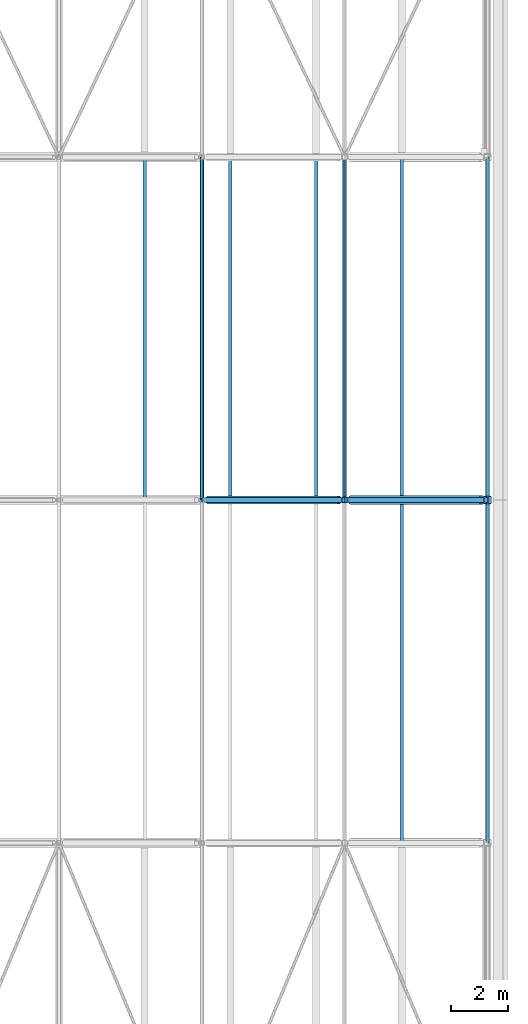
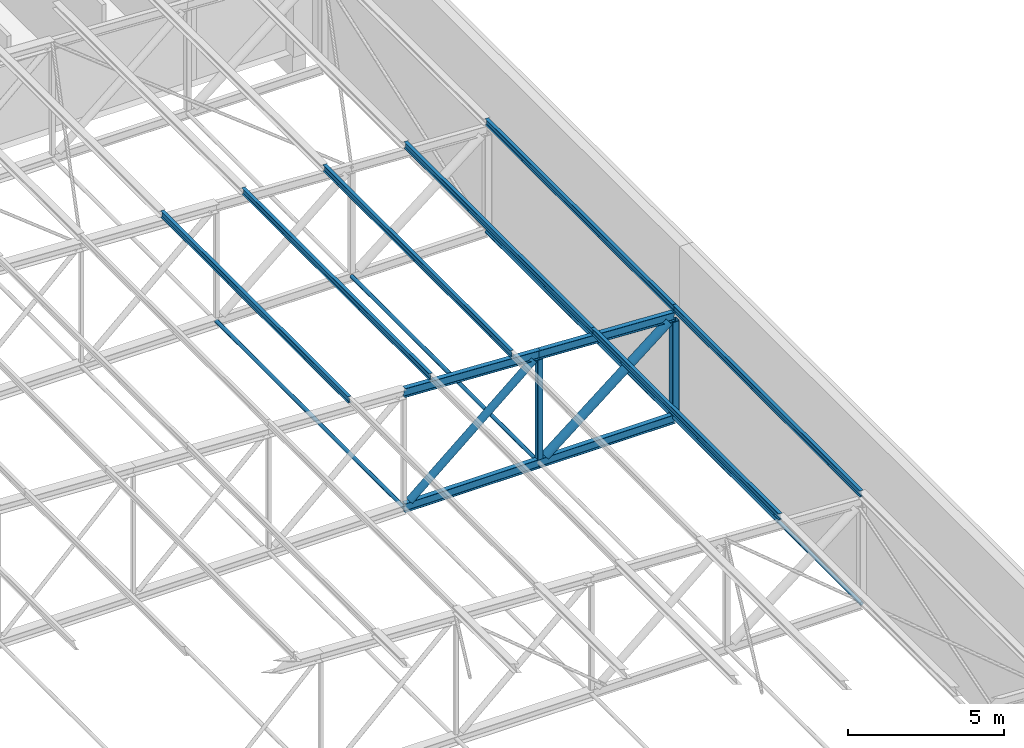
# One storey, part 124 of 156: 19 members.
"""IFC4 building model written with IfcOpenShell, lengths in metres."""

from ifc_helpers import new_model, si_unit, direction, frame, origin, origin_2d, place, context, subcontext, project, spatial, hollow_rectangle, hollow_circle, i_section, extrude, material, material_profile, profile_set, type_object, element, save


model = new_model("IFC4")

# Units and contexts
model_context = context("Model", 3, precision=1e-05, world=origin(), true_north=direction((0.0, 1.0)))
body_context = subcontext(model_context, "Body", "Model", "MODEL_VIEW")
ifc_project = project(units=[si_unit("LENGTHUNIT", "METRE"), si_unit("AREAUNIT", "SQUARE_METRE"), si_unit("VOLUMEUNIT", "CUBIC_METRE"), si_unit("PLANEANGLEUNIT", "RADIAN"), si_unit("MASSUNIT", "GRAM", prefix="KILO")], contexts=[model_context])

# Site, building, storey
site_placement = place(None, origin())
site = spatial("IfcSite", under=ifc_project, at=site_placement, CompositionType="ELEMENT")
building_placement = place(site_placement, origin())
building = spatial("IfcBuilding", under=site, at=building_placement, Name="Lilac Gate Convention Centre", CompositionType="ELEMENT")
storey_placement = place(building_placement, frame((0.0, 0.0, 17.0)))
storey = spatial("IfcBuildingStorey", under=building, at=storey_placement, Name="L03", CompositionType="ELEMENT", Elevation=17.0)

# Members
ifc_material = material(Name="Steel Q355B", Category="steel")
ifc_material_profile_1 = material_profile(ifc_material, hollow_circle(Radius=0.06982421875, WallThickness=0.0048828125, at=origin_2d()), Name="CHS139.7x5")
ifc_profile_set_1 = profile_set([ifc_material_profile_1], Name="Steel Q355B")
member_type_1 = type_object("IfcMemberType", Name="Bottom chord tie CHS139.7x5", PredefinedType="STRUT", material=ifc_profile_set_1)
for number, where, z_axis, x_axis, name in (
    (1, (90.0, 186.00341796875, 0.0), (0.0, 1.0, 0.0), (-1.0, 0.0, 0.0), "ST1 tie bay 14 node 13"),
    (2, (80.0, 198.00341796875, 0.0), (0.0, 1.0, 0.0), (-1.0, 0.0, 0.0), "ST1 tie bay 15 node 11"),
    (3, (85.0, 198.00341796875, 0.0), (0.0, 1.0, 0.0), (-1.0, 0.0, 0.0), "ST1 tie bay 15 node 12"),
    (4, (90.0, 198.00341796875, 0.0), (0.0, 1.0, 0.0), (-1.0, 0.0, 0.0), "ST1 tie bay 15 node 13"),
):
    element("IfcMember", number, at=place(storey_placement, frame(where, z_axis=z_axis, x_axis=x_axis)), inside=storey, type_object=member_type_1, Name=name, PredefinedType="STRUT", context=body_context, shape_type="SweptSolid", body=[
        extrude(hollow_circle(Radius=0.06982421875, WallThickness=0.0048828125, at=origin_2d()), origin(), (0.0, 0.0, 1.0), 11.9931640625),
    ])
ifc_material_profile_2 = material_profile(ifc_material, i_section(OverallWidth=0.125, OverallDepth=0.25, WebThickness=0.006103515625, FlangeThickness=0.009033203125, FilletRadius=0.008056640625, at=origin_2d()), Name="HN250x125x6x9")
ifc_profile_set_2 = profile_set([ifc_material_profile_2], Name="Steel Q355B")
member_type_2 = type_object("IfcMemberType", Name="Roof purlin HN250x125x6x9", PredefinedType="PURLIN", material=ifc_profile_set_2)
for number, where, z_axis, x_axis, name in (
    (5, (87.0, 186.0, 4.4501953125), (0.0, 1.0, 0.0), (-1.0, 0.0, 0.0), "PU2 purlin bay 14 line 20"),
    (6, (90.0, 186.0, 4.30029296875), (0.0, 1.0, 0.0), (-1.0, 0.0, 0.0), "PU2 purlin bay 14 line 21"),
    (7, (78.0, 198.0, 4.900146484375), (0.0, 1.0, 0.0), (-1.0, 0.0, 0.0), "PU2 purlin bay 15 line 17"),
    (8, (81.0, 198.0, 4.750244140625), (0.0, 1.0, 0.0), (-1.0, 0.0, 0.0), "PU2 purlin bay 15 line 18"),
    (9, (84.0, 198.0, 4.60009765625), (0.0, 1.0, 0.0), (-1.0, 0.0, 0.0), "PU2 purlin bay 15 line 19"),
    (10, (87.0, 198.0, 4.4501953125), (0.0, 1.0, 0.0), (-1.0, 0.0, 0.0), "PU2 purlin bay 15 line 20"),
    (11, (90.0, 198.0, 4.30029296875), (0.0, 1.0, 0.0), (-1.0, 0.0, 0.0), "PU2 purlin bay 15 line 21"),
):
    element("IfcMember", number, at=place(storey_placement, frame(where, z_axis=z_axis, x_axis=x_axis)), inside=storey, type_object=member_type_2, Name=name, PredefinedType="PURLIN", context=body_context, shape_type="SweptSolid", body=[
        extrude(i_section(OverallWidth=0.125, OverallDepth=0.25, WebThickness=0.006103515625, FlangeThickness=0.009033203125, FilletRadius=0.008056640625, at=origin_2d()), origin(), (0.0, 0.0, 1.0), 12.0),
    ])
ifc_material_profile_3 = material_profile(ifc_material, i_section(OverallWidth=0.175048828125, OverallDepth=0.35009765625, WebThickness=0.007080078125, FlangeThickness=0.010986328125, FilletRadius=0.012939453125, at=origin_2d()), Name="HN350x175x7x11")
ifc_profile_set_3 = profile_set([ifc_material_profile_3], Name="Steel Q355B")
member_type_3 = type_object("IfcMemberType", Name="Truss bottom chord HN350x175x7x11", PredefinedType="CHORD", material=ifc_profile_set_3)
for number, where, z_axis, x_axis, name in (
    (12, (80.0, 198.0, 0.0), (1.0, 0.0, 0.0), (0.0, 1.0, 0.0), "TB1 truss 15 bottom chord 11"),
    (13, (85.0, 198.0, 0.0), (1.0, 0.0, 0.0), (0.0, 1.0, 0.0), "TB1 truss 15 bottom chord 12"),
):
    element("IfcMember", number, at=place(storey_placement, frame(where, z_axis=z_axis, x_axis=x_axis)), inside=storey, type_object=member_type_3, Name=name, PredefinedType="CHORD", context=body_context, shape_type="SweptSolid", body=[
        extrude(i_section(OverallWidth=0.175048828125, OverallDepth=0.35009765625, WebThickness=0.007080078125, FlangeThickness=0.010986328125, FilletRadius=0.012939453125, at=origin_2d()), origin(), (0.0, 0.0, 1.0), 5.0),
    ])
ifc_material_profile_4 = material_profile(ifc_material, hollow_circle(Radius=0.136474609375, WallThickness=0.010009765625, at=origin_2d()), Name="CHS273x10")
ifc_profile_set_4 = profile_set([ifc_material_profile_4], Name="Steel Q355B")
member_type_4 = type_object("IfcMemberType", Name="Truss diagonal CHS273x10", PredefinedType="BRACE", material=ifc_profile_set_4)
member_1_placement = place(storey_placement, frame((84.806884765625, 198.0, 4.085693359375), z_axis=(-0.761961263863, 0.0, -0.647622600263), x_axis=(0.0, -1.0, 0.0)))
element("IfcMember", 14, at=member_1_placement, inside=storey, type_object=member_type_4, Name="TW2 truss 15 diagonal 11", PredefinedType="BRACE", context=body_context, shape_type="SweptSolid", body=[
    extrude(hollow_circle(Radius=0.136474609375, WallThickness=0.010009765625, at=origin_2d()), origin(), (0.0, 0.0, 1.0), 6.03857421875),
])
ifc_material_profile_5 = material_profile(ifc_material, hollow_circle(Radius=0.161865234375, WallThickness=0.011962890625, at=origin_2d()), Name="CHS323.9x12")
ifc_profile_set_5 = profile_set([ifc_material_profile_5], Name="Steel Q355B")
member_type_5 = type_object("IfcMemberType", Name="Truss diagonal CHS323.9x12", PredefinedType="BRACE", material=ifc_profile_set_5)
member_2_placement = place(storey_placement, frame((89.794677734375, 198.0, 3.835693359375), z_axis=(-0.780876938611, 0.0, -0.624684885959), x_axis=(0.0, -1.0, 0.0)))
element("IfcMember", 15, at=member_2_placement, inside=storey, type_object=member_type_5, Name="TW1 truss 15 diagonal 12", PredefinedType="BRACE", context=body_context, shape_type="SweptSolid", body=[
    extrude(hollow_circle(Radius=0.161865234375, WallThickness=0.011962890625, at=origin_2d()), origin(), (0.0, 0.0, 1.0), 5.860107421875),
])
ifc_material_profile_6 = material_profile(ifc_material, i_section(OverallWidth=0.175048828125, OverallDepth=0.35009765625, WebThickness=0.007080078125, FlangeThickness=0.010986328125, FilletRadius=0.012939453125, at=origin_2d()), Name="HN350x175x7x11")
ifc_profile_set_6 = profile_set([ifc_material_profile_6], Name="Steel Q355B")
member_type_6 = type_object("IfcMemberType", Name="Truss top chord HN350x175x7x11", PredefinedType="CHORD", material=ifc_profile_set_6)
for number, where, z_axis, x_axis, name in (
    (16, (80.0, 198.0, 4.5), (0.998752338878, 0.0, -0.049937616944), (0.0, 1.0, 0.0), "TT1 truss 15 top chord 11"),
    (17, (85.0, 198.0, 4.25), (0.998752338878, 0.0, -0.049937616944), (0.0, 1.0, 0.0), "TT1 truss 15 top chord 12"),
):
    element("IfcMember", number, at=place(storey_placement, frame(where, z_axis=z_axis, x_axis=x_axis)), inside=storey, type_object=member_type_6, Name=name, PredefinedType="CHORD", context=body_context, shape_type="SweptSolid", body=[
        extrude(i_section(OverallWidth=0.175048828125, OverallDepth=0.35009765625, WebThickness=0.007080078125, FlangeThickness=0.010986328125, FilletRadius=0.012939453125, at=origin_2d()), origin(), (0.0, 0.0, 1.0), 5.00634765625),
    ])
ifc_material_profile_7 = material_profile(ifc_material, hollow_rectangle(XDim=0.199951171875, YDim=0.199951171875, WallThickness=0.008056640625, InnerFilletRadius=0.011962890625, OuterFilletRadius=0.02001953125, at=origin_2d()), Name="SHS200x200x8")
ifc_profile_set_7 = profile_set([ifc_material_profile_7], Name="Steel Q355B")
member_type_7 = type_object("IfcMemberType", Name="Truss vertical SHS200x200x8", PredefinedType="STRUT", material=ifc_profile_set_7)
member_3_placement = place(storey_placement, frame((85.0, 198.0, 0.175048828125), z_axis=(0.0, 0.0, 1.0), x_axis=(1.0, 0.0, 0.0)))
element("IfcMember", 18, at=member_3_placement, inside=storey, type_object=member_type_7, Name="TV2 truss 15 vertical 12", PredefinedType="STRUT", context=body_context, shape_type="SweptSolid", body=[
    extrude(hollow_rectangle(XDim=0.199951171875, YDim=0.199951171875, WallThickness=0.008056640625, InnerFilletRadius=0.011962890625, OuterFilletRadius=0.02001953125, at=origin_2d()), origin(), (0.0, 0.0, 1.0), 3.899658203125),
])
ifc_material_profile_8 = material_profile(ifc_material, hollow_rectangle(XDim=0.25, YDim=0.25, WallThickness=0.010009765625, InnerFilletRadius=0.014892578125, OuterFilletRadius=0.02490234375, at=origin_2d()), Name="SHS250x250x10")
ifc_profile_set_8 = profile_set([ifc_material_profile_8], Name="Steel Q355B")
member_type_8 = type_object("IfcMemberType", Name="Truss vertical SHS250x250x10", PredefinedType="STRUT", material=ifc_profile_set_8)
member_4_placement = place(storey_placement, frame((90.0, 198.0, 0.175048828125), z_axis=(0.0, 0.0, 1.0), x_axis=(1.0, 0.0, 0.0)))
element("IfcMember", 19, at=member_4_placement, inside=storey, type_object=member_type_8, Name="TV1 truss 15 vertical 13", PredefinedType="STRUT", context=body_context, shape_type="SweptSolid", body=[
    extrude(hollow_rectangle(XDim=0.25, YDim=0.25, WallThickness=0.010009765625, InnerFilletRadius=0.014892578125, OuterFilletRadius=0.02490234375, at=origin_2d()), origin(), (0.0, 0.0, 1.0), 3.649658203125),
])

save(model, "model.ifc")
